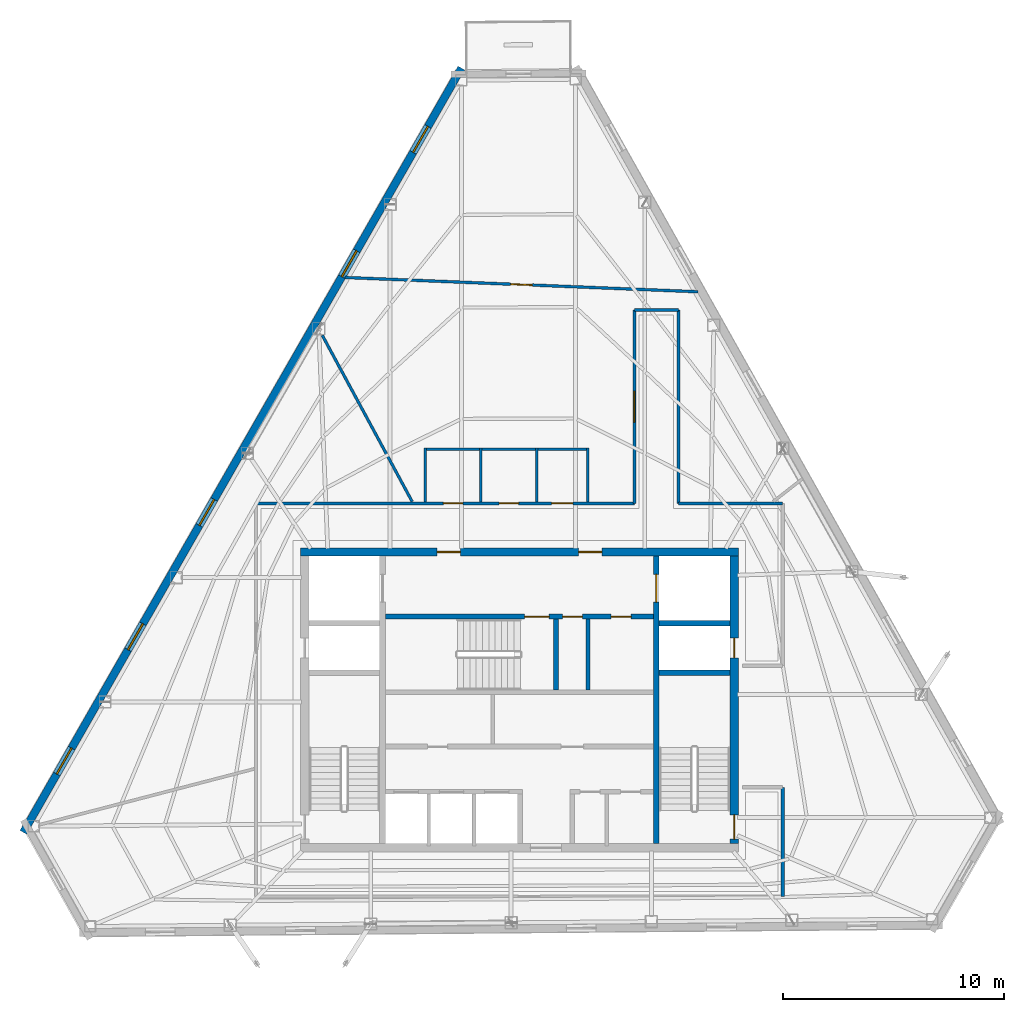
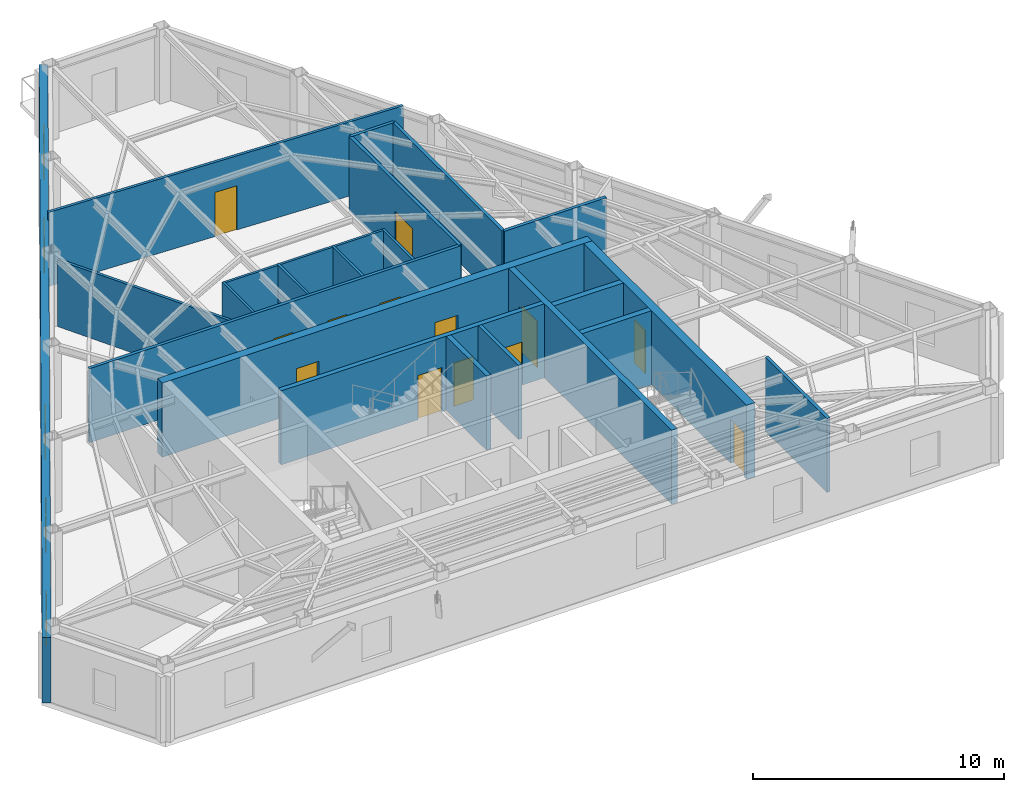
# One storey, part 8 of 11: 22 walls, 13 doors, 5 windows, 18 openings.
"""IFC4 building model written with IfcOpenShell, lengths in metres."""

from ifc_helpers import new_model, si_unit, direction, frame, frame_2d, origin, place, context, subcontext, project, spatial, rectangle, extrude, material, layer, layer_set, type_object, element, fill, save


model = new_model("IFC4")

# Units and contexts
model_context = context("Model", 3, precision=1e-05, world=origin(), true_north=direction((0.0, 1.0)))
body_context = subcontext(model_context, "Body", "Model", "MODEL_VIEW")
ifc_project = project(units=[si_unit("LENGTHUNIT", "METRE"), si_unit("AREAUNIT", "SQUARE_METRE"), si_unit("VOLUMEUNIT", "CUBIC_METRE"), si_unit("PLANEANGLEUNIT", "RADIAN"), si_unit("MASSUNIT", "GRAM", prefix="KILO")], contexts=[model_context])

# Site, building, storey
site_placement = place(None, origin())
site = spatial("IfcSite", under=ifc_project, at=site_placement, CompositionType="ELEMENT")
building_placement = place(site_placement, origin())
building = spatial("IfcBuilding", under=site, at=building_placement, Name="Kavelnor Concourse Tower", CompositionType="ELEMENT")
storey_placement = place(building_placement, frame((0.0, 0.0, 297.25)))
storey = spatial("IfcBuildingStorey", under=building, at=storey_placement, Name="L75", CompositionType="ELEMENT", Elevation=297.25)

# Wall, openings, doors
ifc_material_1 = material(Name="Concrete C50/60", Category="concrete")
ifc_layer_1 = layer(ifc_material_1, 0.3798828125, Name="Concrete C50/60")
ifc_layer_set_1 = layer_set([ifc_layer_1], Name="Concrete C50/60")
wall_type_1 = type_object("IfcWallType", Name="WL-CORE-Z4-380", PredefinedType="SOLIDWALL", material=ifc_layer_set_1)
wall_1_placement = place(storey_placement, frame((28.10009765625, 22.7900390625, 0.0), z_axis=(0.0, 0.0, 1.0), x_axis=(1.0, 0.0, 0.0)))
wall_1 = element("IfcWall", 1, at=wall_1_placement, inside=storey, type_object=wall_type_1, Name="L75 Central Core North Shear Wall", PredefinedType="SOLIDWALL", context=body_context, shape_type="SweptSolid", body=[
    extrude(rectangle(XDim=19.7998046875, YDim=0.3798828125, at=frame_2d((9.89990234375, 0.0))), origin(), (0.0, 0.0, 1.0), 3.610107421875),
])
opening_1_placement = place(wall_1_placement, frame((6.175048828125, 0.0, 0.0)))
opening_1 = element("IfcOpeningElement", 2, at=opening_1_placement, cuts=wall_1, Name="Opening FD-105", PredefinedType="OPENING", context=body_context, shape_type="SweptSolid", body=[
    extrude(rectangle(XDim=1.050048828125, YDim=2.14990234375, at=frame_2d((0.52490234375, 1.074951171875))), frame((0.0, 0.199951171875, 0.0), z_axis=(0.0, -1.0, 0.0), x_axis=(1.0, 0.0, 0.0)), (0.0, 0.0, 1.0), 0.39990234375),
])
opening_2_placement = place(wall_1_placement, frame((12.574951171875, 0.0, 0.0)))
opening_2 = element("IfcOpeningElement", 3, at=opening_2_placement, cuts=wall_1, Name="Opening FD-105", PredefinedType="OPENING", context=body_context, shape_type="SweptSolid", body=[
    extrude(rectangle(XDim=1.050048828125, YDim=2.14990234375, at=frame_2d((0.52490234375, 1.074951171875))), frame((0.0, 0.199951171875, 0.0), z_axis=(0.0, -1.0, 0.0), x_axis=(1.0, 0.0, 0.0)), (0.0, 0.0, 1.0), 0.39990234375),
])
ifc_material_2 = material(Name="Steel Grade 350", Category="steel")
door_type_1 = type_object("IfcDoorType", Name="DR-LOBBY-FIRE-1050", OperationType="NOTDEFINED", PredefinedType="DOOR", material=ifc_material_2)
door_1_placement = place(opening_1_placement, origin())
door_1 = element("IfcDoor", 4, at=door_1_placement, inside=storey, type_object=door_type_1, Name="L75 Emergency Lift Lobby West Door", OperationType="SINGLE_SWING_LEFT", OverallHeight=2.14990234375, OverallWidth=1.050048828125, PredefinedType="DOOR", context=body_context, shape_type="SweptSolid", body=[
    extrude(rectangle(XDim=1.050048828125, YDim=2.14990234375, at=frame_2d((0.52490234375, 1.074951171875))), frame((0.0, 0.02490234375, 0.0), z_axis=(0.0, -1.0, 0.0), x_axis=(1.0, 0.0, 0.0)), (0.0, 0.0, 1.0), 0.050048828125),
])
fill(opening_1, door_1)
door_2_placement = place(opening_2_placement, origin())
door_2 = element("IfcDoor", 5, at=door_2_placement, inside=storey, type_object=door_type_1, Name="L75 Emergency Lift Lobby East Door", OperationType="SINGLE_SWING_RIGHT", OverallHeight=2.14990234375, OverallWidth=1.050048828125, PredefinedType="DOOR", context=body_context, shape_type="SweptSolid", body=[
    extrude(rectangle(XDim=1.050048828125, YDim=2.14990234375, at=frame_2d((0.52490234375, 1.074951171875))), frame((0.0, 0.02490234375, 0.0), z_axis=(0.0, -1.0, 0.0), x_axis=(1.0, 0.0, 0.0)), (0.0, 0.0, 1.0), 0.050048828125),
])
fill(opening_2, door_2)

wall_2_placement = place(storey_placement, frame((47.7099609375, 9.60009765625, 0.0), z_axis=(0.0, 0.0, 1.0), x_axis=(0.0, 1.0, 0.0)))
wall_2 = element("IfcWall", 6, at=wall_2_placement, inside=storey, type_object=wall_type_1, Name="L75 Central Core East Shear Wall", PredefinedType="SOLIDWALL", context=body_context, shape_type="SweptSolid", body=[
    extrude(rectangle(XDim=13.0, YDim=0.3798828125, at=frame_2d((6.5, 0.0))), origin(), (0.0, 0.0, 1.0), 3.610107421875),
])
opening_3_placement = place(wall_2_placement, frame((0.199951171875, 0.0, 0.0)))
opening_3 = element("IfcOpeningElement", 7, at=opening_3_placement, cuts=wall_2, Name="Opening FD-110", PredefinedType="OPENING", context=body_context, shape_type="SweptSolid", body=[
    extrude(rectangle(XDim=1.10009765625, YDim=2.14990234375, at=frame_2d((0.550048828125, 1.074951171875))), frame((0.0, 0.199951171875, 0.0), z_axis=(0.0, -1.0, 0.0), x_axis=(1.0, 0.0, 0.0)), (0.0, 0.0, 1.0), 0.39990234375),
])
opening_4_placement = place(wall_2_placement, frame((8.39990234375, 0.0, 0.0)))
opening_4 = element("IfcOpeningElement", 8, at=opening_4_placement, cuts=wall_2, Name="Opening FD-090", PredefinedType="OPENING", context=body_context, shape_type="SweptSolid", body=[
    extrude(rectangle(XDim=0.89990234375, YDim=2.10009765625, at=frame_2d((0.449951171875, 1.050048828125))), frame((0.0, 0.199951171875, 0.0), z_axis=(0.0, -1.0, 0.0), x_axis=(1.0, 0.0, 0.0)), (0.0, 0.0, 1.0), 0.39990234375),
])
door_type_2 = type_object("IfcDoorType", Name="DR-RISER-FIRE-900", OperationType="NOTDEFINED", PredefinedType="DOOR", material=ifc_material_2)
door_3_placement = place(opening_4_placement, origin())
door_3 = element("IfcDoor", 9, at=door_3_placement, inside=storey, type_object=door_type_2, Name="L75 East Riser Access Door", OperationType="SINGLE_SWING_LEFT", OverallHeight=2.10009765625, OverallWidth=0.89990234375, PredefinedType="DOOR", context=body_context, shape_type="SweptSolid", body=[
    extrude(rectangle(XDim=0.89990234375, YDim=2.10009765625, at=frame_2d((0.449951171875, 1.050048828125))), frame((0.0, 0.02490234375, 0.0), z_axis=(0.0, -1.0, 0.0), x_axis=(1.0, 0.0, 0.0)), (0.0, 0.0, 1.0), 0.050048828125),
])
fill(opening_4, door_3)
door_type_3 = type_object("IfcDoorType", Name="DR-STAIR-FIRE-1100", OperationType="NOTDEFINED", PredefinedType="DOOR", material=ifc_material_2)
door_4_placement = place(opening_3_placement, origin())
door_4 = element("IfcDoor", 10, at=door_4_placement, inside=storey, type_object=door_type_3, Name="L75 Stair ST2 Fire Door", OperationType="SINGLE_SWING_RIGHT", OverallHeight=2.14990234375, OverallWidth=1.10009765625, PredefinedType="DOOR", context=body_context, shape_type="SweptSolid", body=[
    extrude(rectangle(XDim=1.10009765625, YDim=2.14990234375, at=frame_2d((0.550048828125, 1.074951171875))), frame((0.0, 0.02490234375, 0.0), z_axis=(0.0, -1.0, 0.0), x_axis=(1.0, 0.0, 0.0)), (0.0, 0.0, 1.0), 0.050048828125),
])
fill(opening_3, door_4)

# Wall, openings, windows
ifc_material_3 = material(Name="Red-ochre clay face brick masonry", Category="masonry")
ifc_layer_2 = layer(ifc_material_3, 0.35009765625, Name="Red-ochre clay face brick masonry")
ifc_layer_set_2 = layer_set([ifc_layer_2], Name="Red-ochre clay face brick masonry")
wall_type_2 = type_object("IfcWallType", Name="WL-EXT-RED-BRICK-PIER-350", PredefinedType="STANDARD", material=ifc_layer_set_2)
wall_3_placement = place(storey_placement, frame((15.5634765625, 10.111572265625, 0.0), z_axis=(0.0, 0.0, 1.0), x_axis=(0.4973006053, 0.867578300771, 0.0)))
wall_3 = element("IfcWall", 11, at=wall_3_placement, inside=storey, type_object=wall_type_2, Name="L75 Exterior Brick Facade Wall E1", PredefinedType="STANDARD", context=body_context, shape_type="SweptSolid", body=[
    extrude(rectangle(XDim=39.841552734375, YDim=0.35009765625, at=frame_2d((19.9208984375, 0.0))), origin(), (0.0, 0.0, 1.0), 3.196044921875),
])
opening_5_placement = place(wall_3_placement, frame((35.4501953125, 0.0, 0.64990234375)))
opening_5 = element("IfcOpeningElement", 12, at=opening_5_placement, cuts=wall_3, Name="Opening W-04", PredefinedType="OPENING", context=body_context, shape_type="SweptSolid", body=[
    extrude(rectangle(XDim=1.35009765625, YDim=1.75, at=frame_2d((0.675048828125, 0.875))), frame((0.0, 0.18505859375, 0.0), z_axis=(0.0, -1.0, 0.0), x_axis=(1.0, 0.0, 0.0)), (0.0, 0.0, 1.0), 0.3701171875),
])
opening_6_placement = place(wall_3_placement, frame((28.9677734375, 0.0, 0.64990234375)))
opening_6 = element("IfcOpeningElement", 13, at=opening_6_placement, cuts=wall_3, Name="Opening W-04", PredefinedType="OPENING", context=body_context, shape_type="SweptSolid", body=[
    extrude(rectangle(XDim=1.35009765625, YDim=1.75, at=frame_2d((0.675048828125, 0.875))), frame((0.0, 0.18505859375, 0.0), z_axis=(0.0, -1.0, 0.0), x_axis=(1.0, 0.0, 0.0)), (0.0, 0.0, 1.0), 0.3701171875),
])
opening_7_placement = place(wall_3_placement, frame((16.003173828125, 0.0, 0.64990234375)))
opening_7 = element("IfcOpeningElement", 14, at=opening_7_placement, cuts=wall_3, Name="Opening W-04", PredefinedType="OPENING", context=body_context, shape_type="SweptSolid", body=[
    extrude(rectangle(XDim=1.35009765625, YDim=1.75, at=frame_2d((0.675048828125, 0.875))), frame((0.0, 0.18505859375, 0.0), z_axis=(0.0, -1.0, 0.0), x_axis=(1.0, 0.0, 0.0)), (0.0, 0.0, 1.0), 0.3701171875),
])
opening_8_placement = place(wall_3_placement, frame((9.520751953125, 0.0, 0.64990234375)))
opening_8 = element("IfcOpeningElement", 15, at=opening_8_placement, cuts=wall_3, Name="Opening W-04", PredefinedType="OPENING", context=body_context, shape_type="SweptSolid", body=[
    extrude(rectangle(XDim=1.35009765625, YDim=1.75, at=frame_2d((0.675048828125, 0.875))), frame((0.0, 0.18505859375, 0.0), z_axis=(0.0, -1.0, 0.0), x_axis=(1.0, 0.0, 0.0)), (0.0, 0.0, 1.0), 0.3701171875),
])
opening_9_placement = place(wall_3_placement, frame((3.03857421875, 0.0, 0.64990234375)))
opening_9 = element("IfcOpeningElement", 16, at=opening_9_placement, cuts=wall_3, Name="Opening W-04", PredefinedType="OPENING", context=body_context, shape_type="SweptSolid", body=[
    extrude(rectangle(XDim=1.35009765625, YDim=1.75, at=frame_2d((0.675048828125, 0.875))), frame((0.0, 0.18505859375, 0.0), z_axis=(0.0, -1.0, 0.0), x_axis=(1.0, 0.0, 0.0)), (0.0, 0.0, 1.0), 0.3701171875),
])
ifc_material_4 = material(Name="Double low-E argon insulated glazing", Category="glass")
window_type = type_object("IfcWindowType", Name="WIN-PIER-Z4-1350", PartitioningType="SINGLE_PANEL", PredefinedType="WINDOW", material=ifc_material_4)
window_1_placement = place(opening_5_placement, origin())
window_1 = element("IfcWindow", 17, at=window_1_placement, inside=storey, type_object=window_type, Name="L75 Deep-Set Brick Pier Window F0-B0", OverallHeight=1.75, OverallWidth=1.35009765625, PartitioningType="SINGLE_PANEL", PredefinedType="WINDOW", context=body_context, shape_type="SweptSolid", body=[
    extrude(rectangle(XDim=1.35009765625, YDim=1.75, at=frame_2d((0.675048828125, 0.875))), frame((0.0, 0.030029296875, 0.0), z_axis=(0.0, -1.0, 0.0), x_axis=(1.0, 0.0, 0.0)), (0.0, 0.0, 1.0), 0.06005859375),
])
fill(opening_5, window_1)
window_2_placement = place(opening_6_placement, origin())
window_2 = element("IfcWindow", 18, at=window_2_placement, inside=storey, type_object=window_type, Name="L75 Deep-Set Brick Pier Window F0-B1", OverallHeight=1.75, OverallWidth=1.35009765625, PartitioningType="SINGLE_PANEL", PredefinedType="WINDOW", context=body_context, shape_type="SweptSolid", body=[
    extrude(rectangle(XDim=1.35009765625, YDim=1.75, at=frame_2d((0.675048828125, 0.875))), frame((0.0, 0.030029296875, 0.0), z_axis=(0.0, -1.0, 0.0), x_axis=(1.0, 0.0, 0.0)), (0.0, 0.0, 1.0), 0.06005859375),
])
fill(opening_6, window_2)
window_3_placement = place(opening_7_placement, origin())
window_3 = element("IfcWindow", 19, at=window_3_placement, inside=storey, type_object=window_type, Name="L75 Deep-Set Brick Pier Window F0-B3", OverallHeight=1.75, OverallWidth=1.35009765625, PartitioningType="SINGLE_PANEL", PredefinedType="WINDOW", context=body_context, shape_type="SweptSolid", body=[
    extrude(rectangle(XDim=1.35009765625, YDim=1.75, at=frame_2d((0.675048828125, 0.875))), frame((0.0, 0.030029296875, 0.0), z_axis=(0.0, -1.0, 0.0), x_axis=(1.0, 0.0, 0.0)), (0.0, 0.0, 1.0), 0.06005859375),
])
fill(opening_7, window_3)
window_4_placement = place(opening_8_placement, origin())
window_4 = element("IfcWindow", 20, at=window_4_placement, inside=storey, type_object=window_type, Name="L75 Deep-Set Brick Pier Window F0-B4", OverallHeight=1.75, OverallWidth=1.35009765625, PartitioningType="SINGLE_PANEL", PredefinedType="WINDOW", context=body_context, shape_type="SweptSolid", body=[
    extrude(rectangle(XDim=1.35009765625, YDim=1.75, at=frame_2d((0.675048828125, 0.875))), frame((0.0, 0.030029296875, 0.0), z_axis=(0.0, -1.0, 0.0), x_axis=(1.0, 0.0, 0.0)), (0.0, 0.0, 1.0), 0.06005859375),
])
fill(opening_8, window_4)
window_5_placement = place(opening_9_placement, origin())
window_5 = element("IfcWindow", 21, at=window_5_placement, inside=storey, type_object=window_type, Name="L75 Deep-Set Brick Pier Window F0-B5", OverallHeight=1.75, OverallWidth=1.35009765625, PartitioningType="SINGLE_PANEL", PredefinedType="WINDOW", context=body_context, shape_type="SweptSolid", body=[
    extrude(rectangle(XDim=1.35009765625, YDim=1.75, at=frame_2d((0.675048828125, 0.875))), frame((0.0, 0.030029296875, 0.0), z_axis=(0.0, -1.0, 0.0), x_axis=(1.0, 0.0, 0.0)), (0.0, 0.0, 1.0), 0.06005859375),
])
fill(opening_9, window_5)

# Wall, opening, door
ifc_material_5 = material(Name="Gypsum plasterboard on light-gauge steel studs", Category="steel")
ifc_layer_3 = layer(ifc_material_5, 0.14501953125, Name="Gypsum plasterboard on light-gauge steel studs")
ifc_layer_set_3 = layer_set([ifc_layer_3], Name="Gypsum plasterboard on light-gauge steel studs")
wall_type_3 = type_object("IfcWallType", Name="WL-INT-CORR-145", PredefinedType="PARTITIONING", material=ifc_layer_set_3)
wall_4_placement = place(storey_placement, frame((43.199951171875, 24.989990234375, 0.0), z_axis=(0.0, 0.0, 1.0), x_axis=(0.0, 1.0, 0.0)))
wall_4 = element("IfcWall", 22, at=wall_4_placement, inside=storey, type_object=wall_type_3, Name="L75 Corridor Wall WL-L75-CR-01", PredefinedType="PARTITIONING", context=body_context, shape_type="SweptSolid", body=[
    extrude(rectangle(XDim=8.751953125, YDim=0.14501953125, at=frame_2d((4.3759765625, 0.0))), origin(), (0.0, 0.0, 1.0), 3.610107421875),
])
opening_10_placement = place(wall_4_placement, frame((3.67578125, 0.0, 0.0)))
opening_10 = element("IfcOpeningElement", 23, at=opening_10_placement, cuts=wall_4, Name="Opening SD-140", PredefinedType="OPENING", context=body_context, shape_type="SweptSolid", body=[
    extrude(rectangle(XDim=1.39990234375, YDim=2.199951171875, at=frame_2d((0.699951171875, 1.10009765625))), frame((0.0, 0.08251953125, 0.0), z_axis=(0.0, -1.0, 0.0), x_axis=(1.0, 0.0, 0.0)), (0.0, 0.0, 1.0), 0.1650390625),
])
ifc_material_6 = material(Name="Solid-core hardwood timber", Category="wood")
door_type_4 = type_object("IfcDoorType", Name="DR-SUITE-ENTRY-1400", OperationType="NOTDEFINED", PredefinedType="DOOR", material=ifc_material_6)
door_5_placement = place(opening_10_placement, origin())
door_5 = element("IfcDoor", 24, at=door_5_placement, inside=storey, type_object=door_type_4, Name="L75 Architectural Design Studio 01 Door", OperationType="SINGLE_SWING_LEFT", OverallHeight=2.199951171875, OverallWidth=1.39990234375, PredefinedType="DOOR", context=body_context, shape_type="SweptSolid", body=[
    extrude(rectangle(XDim=1.39990234375, YDim=2.199951171875, at=frame_2d((0.699951171875, 1.10009765625))), frame((0.0, 0.02490234375, 0.0), z_axis=(0.0, -1.0, 0.0), x_axis=(1.0, 0.0, 0.0)), (0.0, 0.0, 1.0), 0.050048828125),
])
fill(opening_10, door_5)

# Walls
wall_5_placement = place(storey_placement, frame((43.199951171875, 33.741943359375, 0.0), z_axis=(0.0, 0.0, 1.0), x_axis=(1.0, 0.0, 0.0)))
element("IfcWall", 25, at=wall_5_placement, inside=storey, type_object=wall_type_3, Name="L75 Corridor Wall WL-L75-CR-02", PredefinedType="PARTITIONING", context=body_context, shape_type="SweptSolid", body=[
    extrude(rectangle(XDim=2.0, YDim=0.14501953125, at=frame_2d((1.0, 0.0))), origin(), (0.0, 0.0, 1.0), 3.610107421875),
])
wall_6_placement = place(storey_placement, frame((45.199951171875, 33.741943359375, 0.0), z_axis=(0.0, 0.0, 1.0), x_axis=(0.0, -1.0, 0.0)))
element("IfcWall", 26, at=wall_6_placement, inside=storey, type_object=wall_type_3, Name="L75 Corridor Wall WL-L75-CR-03", PredefinedType="PARTITIONING", context=body_context, shape_type="SweptSolid", body=[
    extrude(rectangle(XDim=8.751953125, YDim=0.14501953125, at=frame_2d((4.3759765625, 0.0))), origin(), (0.0, 0.0, 1.0), 3.610107421875),
])
wall_7_placement = place(storey_placement, frame((45.199951171875, 24.989990234375, 0.0), z_axis=(0.0, 0.0, 1.0), x_axis=(1.0, 0.0, 0.0)))
element("IfcWall", 27, at=wall_7_placement, inside=storey, type_object=wall_type_3, Name="L75 Corridor Wall WL-L75-CR-04", PredefinedType="PARTITIONING", context=body_context, shape_type="SweptSolid", body=[
    extrude(rectangle(XDim=4.7099609375, YDim=0.14501953125, at=frame_2d((2.35498046875, 0.0))), origin(), (0.0, 0.0, 1.0), 3.610107421875),
])
wall_8_placement = place(storey_placement, frame((49.909912109375, 12.14990234375, 0.0), z_axis=(0.0, 0.0, 1.0), x_axis=(0.0, -1.0, 0.0)))
element("IfcWall", 28, at=wall_8_placement, inside=storey, type_object=wall_type_3, Name="L75 Corridor Wall WL-L75-CR-08", PredefinedType="PARTITIONING", context=body_context, shape_type="SweptSolid", body=[
    extrude(rectangle(XDim=4.93994140625, YDim=0.14501953125, at=frame_2d((2.469970703125, 0.0))), origin(), (0.0, 0.0, 1.0), 3.610107421875),
])

# Wall, openings, doors
wall_9_placement = place(storey_placement, frame((26.090087890625, 24.989990234375, 0.0), z_axis=(0.0, 0.0, 1.0), x_axis=(1.0, 0.0, 0.0)))
wall_9 = element("IfcWall", 29, at=wall_9_placement, inside=storey, type_object=wall_type_3, Name="L75 Corridor Wall WL-L75-CR-11", PredefinedType="PARTITIONING", context=body_context, shape_type="SweptSolid", body=[
    extrude(rectangle(XDim=17.10986328125, YDim=0.14501953125, at=frame_2d((8.554931640625, 0.0))), origin(), (0.0, 0.0, 1.0), 3.610107421875),
])
opening_11_placement = place(wall_9_placement, frame((8.469970703125, 0.0, 0.0)))
opening_11 = element("IfcOpeningElement", 30, at=opening_11_placement, cuts=wall_9, Name="Opening WD-088", PredefinedType="OPENING", context=body_context, shape_type="SweptSolid", body=[
    extrude(rectangle(XDim=0.8798828125, YDim=2.10009765625, at=frame_2d((0.43994140625, 1.050048828125))), frame((0.0, 0.08251953125, 0.0), z_axis=(0.0, -1.0, 0.0), x_axis=(1.0, 0.0, 0.0)), (0.0, 0.0, 1.0), 0.1650390625),
])
opening_12_placement = place(wall_9_placement, frame((10.989990234375, 0.0, 0.0)))
opening_12 = element("IfcOpeningElement", 31, at=opening_12_placement, cuts=wall_9, Name="Opening WD-088", PredefinedType="OPENING", context=body_context, shape_type="SweptSolid", body=[
    extrude(rectangle(XDim=0.8798828125, YDim=2.10009765625, at=frame_2d((0.43994140625, 1.050048828125))), frame((0.0, 0.08251953125, 0.0), z_axis=(0.0, -1.0, 0.0), x_axis=(1.0, 0.0, 0.0)), (0.0, 0.0, 1.0), 0.1650390625),
])
opening_13_placement = place(wall_9_placement, frame((13.3701171875, 0.0, 0.0)))
opening_13 = element("IfcOpeningElement", 32, at=opening_13_placement, cuts=wall_9, Name="Opening WD-096", PredefinedType="OPENING", context=body_context, shape_type="SweptSolid", body=[
    extrude(rectangle(XDim=0.9599609375, YDim=2.10009765625, at=frame_2d((0.47998046875, 1.050048828125))), frame((0.0, 0.08251953125, 0.0), z_axis=(0.0, -1.0, 0.0), x_axis=(1.0, 0.0, 0.0)), (0.0, 0.0, 1.0), 0.1650390625),
])
door_type_5 = type_object("IfcDoorType", Name="DR-WC-ACC-960", OperationType="NOTDEFINED", PredefinedType="DOOR", material=ifc_material_6)
door_6_placement = place(opening_13_placement, origin())
door_6 = element("IfcDoor", 33, at=door_6_placement, inside=storey, type_object=door_type_5, Name="L75 Accessible WC Door", OperationType="SINGLE_SWING_RIGHT", OverallHeight=2.10009765625, OverallWidth=0.9599609375, PredefinedType="DOOR", context=body_context, shape_type="SweptSolid", body=[
    extrude(rectangle(XDim=0.9599609375, YDim=2.10009765625, at=frame_2d((0.47998046875, 1.050048828125))), frame((0.0, 0.02490234375, 0.0), z_axis=(0.0, -1.0, 0.0), x_axis=(1.0, 0.0, 0.0)), (0.0, 0.0, 1.0), 0.050048828125),
])
fill(opening_13, door_6)
door_type_6 = type_object("IfcDoorType", Name="DR-WC-STD-880", OperationType="NOTDEFINED", PredefinedType="DOOR", material=ifc_material_6)
door_7_placement = place(opening_11_placement, origin())
door_7 = element("IfcDoor", 34, at=door_7_placement, inside=storey, type_object=door_type_6, Name="L75 Male WC Door", OperationType="SINGLE_SWING_RIGHT", OverallHeight=2.10009765625, OverallWidth=0.8798828125, PredefinedType="DOOR", context=body_context, shape_type="SweptSolid", body=[
    extrude(rectangle(XDim=0.8798828125, YDim=2.10009765625, at=frame_2d((0.43994140625, 1.050048828125))), frame((0.0, 0.02490234375, 0.0), z_axis=(0.0, -1.0, 0.0), x_axis=(1.0, 0.0, 0.0)), (0.0, 0.0, 1.0), 0.050048828125),
])
fill(opening_11, door_7)
door_8_placement = place(opening_12_placement, origin())
door_8 = element("IfcDoor", 35, at=door_8_placement, inside=storey, type_object=door_type_6, Name="L75 Female WC Door", OperationType="SINGLE_SWING_LEFT", OverallHeight=2.10009765625, OverallWidth=0.8798828125, PredefinedType="DOOR", context=body_context, shape_type="SweptSolid", body=[
    extrude(rectangle(XDim=0.8798828125, YDim=2.10009765625, at=frame_2d((0.43994140625, 1.050048828125))), frame((0.0, 0.02490234375, 0.0), z_axis=(0.0, -1.0, 0.0), x_axis=(1.0, 0.0, 0.0)), (0.0, 0.0, 1.0), 0.050048828125),
])
fill(opening_12, door_8)

# Walls
ifc_layer_4 = layer(ifc_material_5, 0.1650390625, Name="Gypsum plasterboard on light-gauge steel studs")
ifc_layer_set_4 = layer_set([ifc_layer_4], Name="Gypsum plasterboard on light-gauge steel studs")
wall_type_4 = type_object("IfcWallType", Name="WL-INT-FIRE-165", PredefinedType="PARTITIONING", material=ifc_layer_set_4)
wall_10_placement = place(storey_placement, frame((41.10009765625, 16.56005859375, 0.0), z_axis=(0.0, 0.0, 1.0), x_axis=(0.0, 1.0, 0.0)))
element("IfcWall", 36, at=wall_10_placement, inside=storey, type_object=wall_type_4, Name="L75 Core Support West Divider", PredefinedType="PARTITIONING", context=body_context, shape_type="SweptSolid", body=[
    extrude(rectangle(XDim=3.199951171875, YDim=0.1650390625, at=frame_2d((1.60009765625, 0.0))), origin(), (0.0, 0.0, 1.0), 3.610107421875),
])
ifc_layer_5 = layer(ifc_material_5, 0.125, Name="Gypsum plasterboard on light-gauge steel studs")
ifc_layer_set_5 = layer_set([ifc_layer_5], Name="Gypsum plasterboard on light-gauge steel studs")
wall_type_5 = type_object("IfcWallType", Name="WL-INT-SUITE-125", PredefinedType="PARTITIONING", material=ifc_layer_set_5)
wall_11_placement = place(storey_placement, frame((33.150390625, 25.070556640625, 0.0), z_axis=(0.0, 0.0, 1.0), x_axis=(-0.47556300341, 0.879681663892, 0.0)))
element("IfcWall", 37, at=wall_11_placement, inside=storey, type_object=wall_type_5, Name="L75 Radial Suite Partition 02", PredefinedType="PARTITIONING", context=body_context, shape_type="SweptSolid", body=[
    extrude(rectangle(XDim=8.55322265625, YDim=0.125, at=frame_2d((4.276611328125, 0.0))), origin(), (0.0, 0.0, 1.0), 3.24609375),
])

# Wall, opening, door
wall_12_placement = place(storey_placement, frame((46.0771484375, 34.5615234375, 0.0), z_axis=(0.0, 0.0, 1.0), x_axis=(-0.999181424886, 0.040453432029, 0.0)))
wall_12 = element("IfcWall", 38, at=wall_12_placement, inside=storey, type_object=wall_type_5, Name="L75 Suite Subdivision Partition 01", PredefinedType="PARTITIONING", context=body_context, shape_type="SweptSolid", body=[
    extrude(rectangle(XDim=15.968994140625, YDim=0.125, at=frame_2d((7.984375, 0.0))), origin(), (0.0, 0.0, 1.0), 3.610107421875),
])
opening_14_placement = place(wall_12_placement, frame((7.494384765625, 0.0, 0.0)))
opening_14 = element("IfcOpeningElement", 39, at=opening_14_placement, cuts=wall_12, Name="Opening OD-098", PredefinedType="OPENING", context=body_context, shape_type="SweptSolid", body=[
    extrude(rectangle(XDim=0.97998046875, YDim=2.14990234375, at=frame_2d((0.489990234375, 1.074951171875))), frame((0.0, 0.072509765625, 0.0), z_axis=(0.0, -1.0, 0.0), x_axis=(1.0, 0.0, 0.0)), (0.0, 0.0, 1.0), 0.14501953125),
])
door_type_7 = type_object("IfcDoorType", Name="DR-OFFICE-980", OperationType="NOTDEFINED", PredefinedType="DOOR", material=ifc_material_6)
door_9_placement = place(opening_14_placement, origin())
door_9 = element("IfcDoor", 40, at=door_9_placement, inside=storey, type_object=door_type_7, Name="L75 Workplace Open Office 02 Door", OperationType="SINGLE_SWING_RIGHT", OverallHeight=2.14990234375, OverallWidth=0.97998046875, PredefinedType="DOOR", context=body_context, shape_type="SweptSolid", body=[
    extrude(rectangle(XDim=0.97998046875, YDim=2.14990234375, at=frame_2d((0.489990234375, 1.074951171875))), frame((0.0, 0.02490234375, 0.0), z_axis=(0.0, -1.0, 0.0), x_axis=(1.0, 0.0, 0.0)), (0.0, 0.0, 1.0), 0.050048828125),
])
fill(opening_14, door_9)

# Walls
ifc_layer_6 = layer(ifc_material_5, 0.110107421875, Name="Gypsum plasterboard on light-gauge steel studs")
ifc_layer_set_6 = layer_set([ifc_layer_6], Name="Gypsum plasterboard on light-gauge steel studs")
wall_type_6 = type_object("IfcWallType", Name="WL-INT-WC-110", PredefinedType="PLUMBINGWALL", material=ifc_layer_set_6)
for number, where, z_axis, x_axis, name in (
    (41, (33.739990234375, 25.06005859375, 0.0), (0.0, 0.0, 1.0), (0.0, 1.0, 0.0), "L75 Sanitary Partition WL-L75-WC-W"),
    (42, (36.260009765625, 25.06005859375, 0.0), (0.0, 0.0, 1.0), (0.0, 1.0, 0.0), "L75 Sanitary Partition WL-L75-WC-D1"),
    (43, (38.780029296875, 25.06005859375, 0.0), (0.0, 0.0, 1.0), (0.0, 1.0, 0.0), "L75 Sanitary Partition WL-L75-WC-D2"),
    (44, (41.10009765625, 25.06005859375, 0.0), (0.0, 0.0, 1.0), (0.0, 1.0, 0.0), "L75 Sanitary Partition WL-L75-WC-E"),
):
    element("IfcWall", number, at=place(storey_placement, frame(where, z_axis=z_axis, x_axis=x_axis)), inside=storey, type_object=wall_type_6, Name=name, PredefinedType="PLUMBINGWALL", context=body_context, shape_type="SweptSolid", body=[
        extrude(rectangle(XDim=2.43994140625, YDim=0.110107421875, at=frame_2d((1.219970703125, 0.0))), origin(), (0.0, 0.0, 1.0), 3.610107421875),
    ])
wall_13_placement = place(storey_placement, frame((33.68994140625, 27.43994140625, 0.0), z_axis=(0.0, 0.0, 1.0), x_axis=(1.0, 0.0, 0.0)))
element("IfcWall", 45, at=wall_13_placement, inside=storey, type_object=wall_type_6, Name="L75 Sanitary Partition WL-L75-WC-N", PredefinedType="PLUMBINGWALL", context=body_context, shape_type="SweptSolid", body=[
    extrude(rectangle(XDim=7.4599609375, YDim=0.110107421875, at=frame_2d((3.72998046875, 0.0))), origin(), (0.0, 0.0, 1.0), 3.610107421875),
])

# Wall, openings, doors
ifc_layer_7 = layer(ifc_material_1, 0.219970703125, Name="Concrete C50/60")
ifc_layer_set_7 = layer_set([ifc_layer_7], Name="Concrete C50/60")
wall_type_7 = type_object("IfcWallType", Name="WL-SHAFT-220", PredefinedType="SOLIDWALL", material=ifc_layer_set_7)
wall_14_placement = place(storey_placement, frame((31.93994140625, 19.8701171875, 0.0), z_axis=(0.0, 0.0, 1.0), x_axis=(1.0, 0.0, 0.0)))
wall_14 = element("IfcWall", 46, at=wall_14_placement, inside=storey, type_object=wall_type_7, Name="L75 Emergency Lift Lobby South Wall", PredefinedType="SOLIDWALL", context=body_context, shape_type="SweptSolid", body=[
    extrude(rectangle(XDim=12.1201171875, YDim=0.219970703125, at=frame_2d((6.06005859375, 0.0))), origin(), (0.0, 0.0, 1.0), 3.610107421875),
])
opening_15_placement = place(wall_14_placement, frame((6.300048828125, 0.0, 0.0)))
opening_15 = element("IfcOpeningElement", 47, at=opening_15_placement, cuts=wall_14, Name="Opening FD-110", PredefinedType="OPENING", context=body_context, shape_type="SweptSolid", body=[
    extrude(rectangle(XDim=1.10009765625, YDim=2.14990234375, at=frame_2d((0.550048828125, 1.074951171875))), frame((0.0, 0.1201171875, 0.0), z_axis=(0.0, -1.0, 0.0), x_axis=(1.0, 0.0, 0.0)), (0.0, 0.0, 1.0), 0.239990234375),
])
opening_16_placement = place(wall_14_placement, frame((8.010009765625, 0.0, 0.0)))
opening_16 = element("IfcOpeningElement", 48, at=opening_16_placement, cuts=wall_14, Name="Opening FD-090", PredefinedType="OPENING", context=body_context, shape_type="SweptSolid", body=[
    extrude(rectangle(XDim=0.89990234375, YDim=2.10009765625, at=frame_2d((0.449951171875, 1.050048828125))), frame((0.0, 0.1201171875, 0.0), z_axis=(0.0, -1.0, 0.0), x_axis=(1.0, 0.0, 0.0)), (0.0, 0.0, 1.0), 0.239990234375),
])
opening_17_placement = place(wall_14_placement, frame((10.2099609375, 0.0, 0.0)))
opening_17 = element("IfcOpeningElement", 49, at=opening_17_placement, cuts=wall_14, Name="Opening FD-090", PredefinedType="OPENING", context=body_context, shape_type="SweptSolid", body=[
    extrude(rectangle(XDim=0.89990234375, YDim=2.10009765625, at=frame_2d((0.449951171875, 1.050048828125))), frame((0.0, 0.1201171875, 0.0), z_axis=(0.0, -1.0, 0.0), x_axis=(1.0, 0.0, 0.0)), (0.0, 0.0, 1.0), 0.239990234375),
])
door_10_placement = place(opening_16_placement, origin())
door_10 = element("IfcDoor", 50, at=door_10_placement, inside=storey, type_object=door_type_2, Name="L75 Cleaner Door", OperationType="SINGLE_SWING_RIGHT", OverallHeight=2.10009765625, OverallWidth=0.89990234375, PredefinedType="DOOR", context=body_context, shape_type="SweptSolid", body=[
    extrude(rectangle(XDim=0.89990234375, YDim=2.10009765625, at=frame_2d((0.449951171875, 1.050048828125))), frame((0.0, 0.02490234375, 0.0), z_axis=(0.0, -1.0, 0.0), x_axis=(1.0, 0.0, 0.0)), (0.0, 0.0, 1.0), 0.050048828125),
])
fill(opening_16, door_10)
door_11_placement = place(opening_17_placement, origin())
door_11 = element("IfcDoor", 51, at=door_11_placement, inside=storey, type_object=door_type_2, Name="L75 UPS Room Door", OperationType="SINGLE_SWING_LEFT", OverallHeight=2.10009765625, OverallWidth=0.89990234375, PredefinedType="DOOR", context=body_context, shape_type="SweptSolid", body=[
    extrude(rectangle(XDim=0.89990234375, YDim=2.10009765625, at=frame_2d((0.449951171875, 1.050048828125))), frame((0.0, 0.02490234375, 0.0), z_axis=(0.0, -1.0, 0.0), x_axis=(1.0, 0.0, 0.0)), (0.0, 0.0, 1.0), 0.050048828125),
])
fill(opening_17, door_11)
door_12_placement = place(opening_15_placement, origin())
door_12 = element("IfcDoor", 52, at=door_12_placement, inside=storey, type_object=door_type_3, Name="L75 Stair ST3 Fire Door", OperationType="SINGLE_SWING_LEFT", OverallHeight=2.14990234375, OverallWidth=1.10009765625, PredefinedType="DOOR", context=body_context, shape_type="SweptSolid", body=[
    extrude(rectangle(XDim=1.10009765625, YDim=2.14990234375, at=frame_2d((0.550048828125, 1.074951171875))), frame((0.0, 0.02490234375, 0.0), z_axis=(0.0, -1.0, 0.0), x_axis=(1.0, 0.0, 0.0)), (0.0, 0.0, 1.0), 0.050048828125),
])
fill(opening_15, door_12)

# Wall
wall_15_placement = place(storey_placement, frame((39.64990234375, 16.56005859375, 0.0), z_axis=(0.0, 0.0, 1.0), x_axis=(0.0, 1.0, 0.0)))
element("IfcWall", 53, at=wall_15_placement, inside=storey, type_object=wall_type_7, Name="L75 Stair ST3 East Core Wall", PredefinedType="SOLIDWALL", context=body_context, shape_type="SweptSolid", body=[
    extrude(rectangle(XDim=3.199951171875, YDim=0.219970703125, at=frame_2d((1.60009765625, 0.0))), origin(), (0.0, 0.0, 1.0), 3.610107421875),
])

# Wall, opening, door
ifc_layer_8 = layer(ifc_material_1, 0.260009765625, Name="Concrete C50/60")
ifc_layer_set_8 = layer_set([ifc_layer_8], Name="Concrete C50/60")
wall_type_8 = type_object("IfcWallType", Name="WL-SHAFT-260", PredefinedType="SHEAR", material=ifc_layer_set_8)
wall_16_placement = place(storey_placement, frame((44.18994140625, 9.60009765625, 0.0), z_axis=(0.0, 0.0, 1.0), x_axis=(0.0, 1.0, 0.0)))
wall_16 = element("IfcWall", 54, at=wall_16_placement, inside=storey, type_object=wall_type_8, Name="L75 Core East Wing Shear Wall", PredefinedType="SHEAR", context=body_context, shape_type="SweptSolid", body=[
    extrude(rectangle(XDim=13.0, YDim=0.260009765625, at=frame_2d((6.5, 0.0))), origin(), (0.0, 0.0, 1.0), 3.610107421875),
])
opening_18_placement = place(wall_16_placement, frame((10.925048828125, 0.0, 0.0)))
opening_18 = element("IfcOpeningElement", 55, at=opening_18_placement, cuts=wall_16, Name="Opening LD-125", PredefinedType="OPENING", context=body_context, shape_type="SweptSolid", body=[
    extrude(rectangle(XDim=1.25, YDim=2.25, at=frame_2d((0.625, 1.125))), frame((0.0, 0.14013671875, 0.0), z_axis=(0.0, -1.0, 0.0), x_axis=(1.0, 0.0, 0.0)), (0.0, 0.0, 1.0), 0.280029296875),
])
door_type_8 = type_object("IfcDoorType", Name="DR-LIFT-SLIDING-1250", OperationType="NOTDEFINED", PredefinedType="DOOR", material=ifc_material_2)
door_13_placement = place(opening_18_placement, origin())
door_13 = element("IfcDoor", 56, at=door_13_placement, inside=storey, type_object=door_type_8, Name="L75 Emergency Lift FL2 Landing Door", OperationType="DOUBLE_DOOR_SLIDING", OverallHeight=2.25, OverallWidth=1.25, PredefinedType="DOOR", context=body_context, shape_type="SweptSolid", body=[
    extrude(rectangle(XDim=1.25, YDim=2.25, at=frame_2d((0.625, 1.125))), frame((0.0, 0.02490234375, 0.0), z_axis=(0.0, -1.0, 0.0), x_axis=(1.0, 0.0, 0.0)), (0.0, 0.0, 1.0), 0.050048828125),
])
fill(opening_18, door_13)

# Walls
for number, where, z_axis, x_axis, name in (
    (57, (44.320068359375, 17.330078125, 0.0), (0.0, 0.0, 1.0), (1.0, 0.0, 0.0), "L75 Stair ST2 North Shaft Wall"),
    (58, (44.320068359375, 19.570068359375, 0.0), (0.0, 0.0, 1.0), (1.0, 0.0, 0.0), "L75 Emergency Lift FL2 South Shaft Wall"),
):
    element("IfcWall", number, at=place(storey_placement, frame(where, z_axis=z_axis, x_axis=x_axis)), inside=storey, type_object=wall_type_8, Name=name, PredefinedType="SHEAR", context=body_context, shape_type="SweptSolid", body=[
        extrude(rectangle(XDim=3.199951171875, YDim=0.260009765625, at=frame_2d((1.60009765625, 0.0))), origin(), (0.0, 0.0, 1.0), 3.610107421875),
    ])

save(model, "model.ifc")
